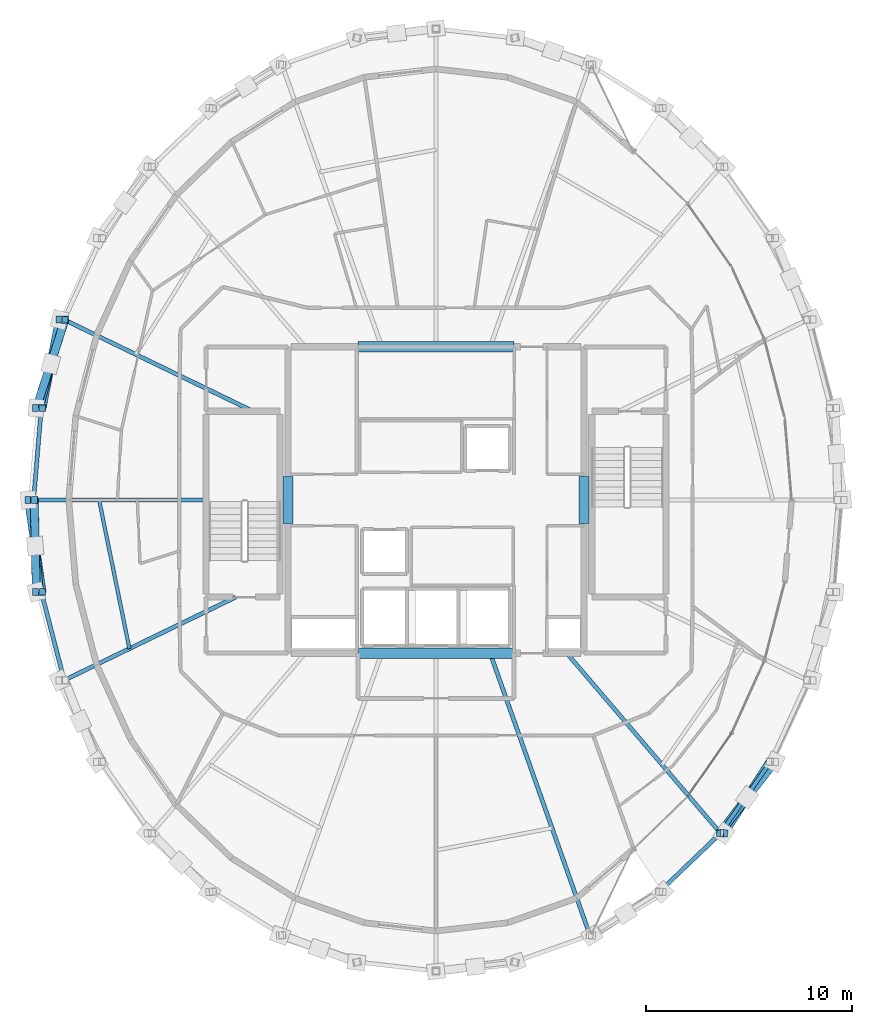
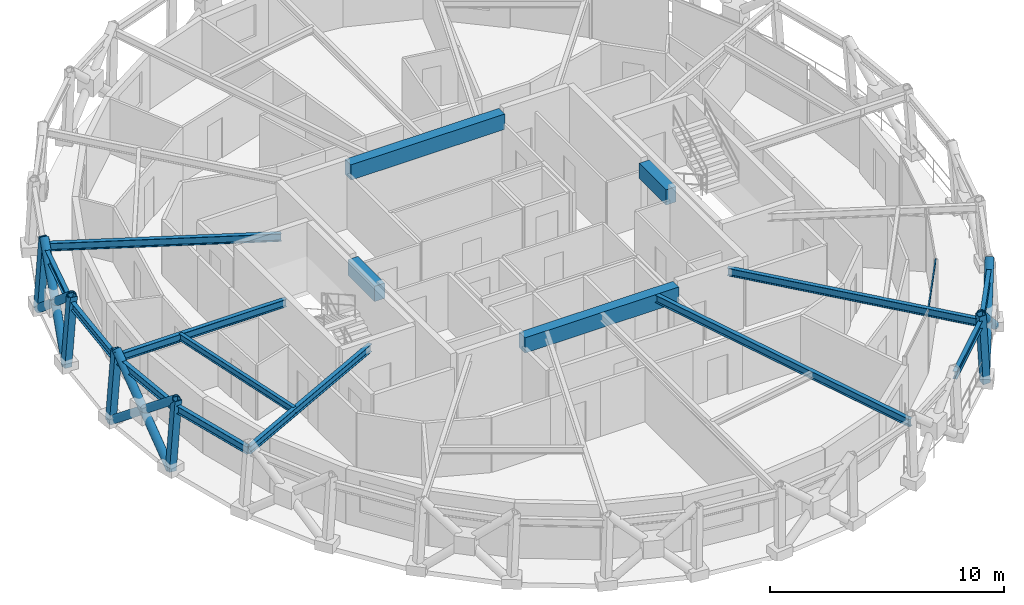
# One storey, part 3 of 15: 16 beams, 15 members, 1 element without a shape of its own.
"""IFC4 building model written with IfcOpenShell, lengths in metres."""

from ifc_helpers import new_model, si_unit, direction, frame, origin, origin_2d, place, context, subcontext, project, spatial, rectangle, hollow_rectangle, hollow_circle, i_section, extrude, material, layer, layer_set, material_profile, profile_set, type_object, element, aggregate, save


model = new_model("IFC4")

# Units and contexts
model_context = context("Model", 3, precision=1e-05, world=origin(), true_north=direction((0.0, 1.0)))
body_context = subcontext(model_context, "Body", "Model", "MODEL_VIEW")
ifc_project = project(units=[si_unit("LENGTHUNIT", "METRE"), si_unit("AREAUNIT", "SQUARE_METRE"), si_unit("VOLUMEUNIT", "CUBIC_METRE"), si_unit("PLANEANGLEUNIT", "RADIAN"), si_unit("MASSUNIT", "GRAM", prefix="KILO")], contexts=[model_context])

# Site, building, storey
site_placement = place(None, origin())
site = spatial("IfcSite", under=ifc_project, at=site_placement, CompositionType="ELEMENT")
building_placement = place(site_placement, origin())
building = spatial("IfcBuilding", under=site, at=building_placement, Name="Veldorina Hangang Commons", CompositionType="ELEMENT")
storey_placement = place(building_placement, frame((0.0, 0.0, 290.39990234375)))
storey = spatial("IfcBuildingStorey", under=building, at=storey_placement, Name="L76", CompositionType="ELEMENT", Elevation=290.39990234375)

# Beams
ifc_material_1 = material(Name="Concrete C50/60", Category="concrete")
ifc_material_profile_1 = material_profile(ifc_material_1, rectangle(XDim=0.5, YDim=0.800048828125, at=origin_2d()), Name="RC-CB-500x800")
ifc_profile_set_1 = profile_set([ifc_material_profile_1], Name="Concrete C50/60")
beam_type_1 = type_object("IfcBeamType", Name="BM-CB800", PredefinedType="LINTEL", material=ifc_profile_set_1)
for number, where, z_axis, x_axis, name in (
    (1, (24.800048828125, 22.85009765625, 2.960205078125), (0.0, 1.0, 0.0), (-1.0, 0.0, 0.0), "L76 W core coupling lintel beam"),
    (2, (39.199951171875, 22.85009765625, 2.960205078125), (0.0, 1.0, 0.0), (-1.0, 0.0, 0.0), "L76 E core coupling lintel beam"),
):
    element("IfcBeam", number, at=place(storey_placement, frame(where, z_axis=z_axis, x_axis=x_axis)), inside=storey, type_object=beam_type_1, Name=name, PredefinedType="LINTEL", context=body_context, shape_type="SweptSolid", body=[
        extrude(rectangle(XDim=0.5, YDim=0.800048828125, at=origin_2d()), origin(), (0.0, 0.0, 1.0), 2.2998046875),
    ])
for number, where, z_axis, x_axis, name in (
    (3, (28.199951171875, 16.550048828125, 2.960205078125), (1.0, 0.0, 0.0), (0.0, 1.0, 0.0), "L76 south core coupling beam"),
    (4, (28.199951171875, 31.449951171875, 2.960205078125), (1.0, 0.0, 0.0), (0.0, 1.0, 0.0), "L76 north core coupling beam"),
):
    element("IfcBeam", number, at=place(storey_placement, frame(where, z_axis=z_axis, x_axis=x_axis)), inside=storey, type_object=beam_type_1, Name=name, PredefinedType="LINTEL", context=body_context, shape_type="SweptSolid", body=[
        extrude(rectangle(XDim=0.5, YDim=0.800048828125, at=origin_2d()), origin(), (0.0, 0.0, 1.0), 7.60009765625),
    ])
ifc_material_2 = material(Name="Steel SM355-TMC", Category="steel")
ifc_material_profile_2 = material_profile(ifc_material_2, i_section(OverallWidth=0.199951171875, OverallDepth=0.39990234375, WebThickness=0.008056640625, FlangeThickness=0.012939453125, FilletRadius=0.012939453125, at=origin_2d()), Name="H-400x200x8x13")
ifc_profile_set_2 = profile_set([ifc_material_profile_2], Name="Steel SM355-TMC")
beam_type_2 = type_object("IfcBeamType", Name="BM-FG400", PredefinedType="BEAM", material=ifc_profile_set_2)
beam_1_placement = place(storey_placement, frame((23.092041015625, 28.320068359375, 3.16015625), z_axis=(-0.899769092307, 0.43636633753, 0.0), x_axis=(-0.43636633753, -0.899769092307, 0.0)))
element("IfcBeam", 5, at=beam_1_placement, inside=storey, type_object=beam_type_2, Name="L76 radial floor girder 08", PredefinedType="BEAM", context=body_context, shape_type="SweptSolid", body=[
    extrude(i_section(OverallWidth=0.199951171875, OverallDepth=0.39990234375, WebThickness=0.008056640625, FlangeThickness=0.012939453125, FilletRadius=0.012939453125, at=origin_2d()), origin(), (0.0, 0.0, 1.0), 10.19482421875),
])
beam_2_placement = place(storey_placement, frame((20.820068359375, 24.0, 3.16015625), z_axis=(-1.0, 0.0, 0.0), x_axis=(0.0, -1.0, 0.0)))
element("IfcBeam", 6, at=beam_2_placement, inside=storey, type_object=beam_type_2, Name="L76 radial floor girder 09", PredefinedType="BEAM", context=body_context, shape_type="SweptSolid", body=[
    extrude(i_section(OverallWidth=0.199951171875, OverallDepth=0.39990234375, WebThickness=0.008056640625, FlangeThickness=0.012939453125, FilletRadius=0.012939453125, at=origin_2d()), origin(), (0.0, 0.0, 1.0), 8.390869140625),
])
beam_3_placement = place(storey_placement, frame((22.267333984375, 19.280029296875, 3.16015625), z_axis=(-0.89976652359, -0.436371634076, 0.0), x_axis=(0.436371634076, -0.89976652359, 0.0)))
element("IfcBeam", 7, at=beam_3_placement, inside=storey, type_object=beam_type_2, Name="L76 radial floor girder 10", PredefinedType="BEAM", context=body_context, shape_type="SweptSolid", body=[
    extrude(i_section(OverallWidth=0.199951171875, OverallDepth=0.39990234375, WebThickness=0.008056640625, FlangeThickness=0.012939453125, FilletRadius=0.012939453125, at=origin_2d()), origin(), (0.0, 0.0, 1.0), 9.2783203125),
])
beam_4_placement = place(storey_placement, frame((34.6357421875, 16.550048828125, 3.16015625), z_axis=(0.33352818718, -0.94274012769, 0.0), x_axis=(0.94274012769, 0.33352818718, 0.0)))
element("IfcBeam", 8, at=beam_4_placement, inside=storey, type_object=beam_type_2, Name="L76 radial floor girder 14", PredefinedType="BEAM", context=body_context, shape_type="SweptSolid", body=[
    extrude(i_section(OverallWidth=0.199951171875, OverallDepth=0.39990234375, WebThickness=0.008056640625, FlangeThickness=0.012939453125, FilletRadius=0.012939453125, at=origin_2d()), origin(), (0.0, 0.0, 1.0), 14.552734375),
])
beam_5_placement = place(storey_placement, frame((38.36328125, 16.550048828125, 3.16015625), z_axis=(0.649450592283, -0.760403792852, 0.0), x_axis=(0.760403792852, 0.649450592283, 0.0)))
element("IfcBeam", 9, at=beam_5_placement, inside=storey, type_object=beam_type_2, Name="L76 radial floor girder 15", PredefinedType="BEAM", context=body_context, shape_type="SweptSolid", body=[
    extrude(i_section(OverallWidth=0.199951171875, OverallDepth=0.39990234375, WebThickness=0.008056640625, FlangeThickness=0.012939453125, FilletRadius=0.012939453125, at=origin_2d()), origin(), (0.0, 0.0, 1.0), 11.51025390625),
])
ifc_material_profile_3 = material_profile(ifc_material_2, i_section(OverallWidth=0.175048828125, OverallDepth=0.35009765625, WebThickness=0.007080078125, FlangeThickness=0.010986328125, FilletRadius=0.012939453125, at=origin_2d()), Name="H-350x175x7x11")
ifc_profile_set_3 = profile_set([ifc_material_profile_3], Name="Steel SM355-TMC")
beam_type_3 = type_object("IfcBeamType", Name="BM-JST350", PredefinedType="JOIST", material=ifc_profile_set_3)
beam_6_placement = place(storey_placement, frame((15.61767578125, 24.0, 3.18505859375), z_axis=(0.199709786749, -0.979855091877, 0.0), x_axis=(0.979855091877, 0.199709786749, 0.0)))
element("IfcBeam", 10, at=beam_6_placement, inside=storey, type_object=beam_type_3, Name="L76 secondary floor joist 09", PredefinedType="JOIST", context=body_context, shape_type="SweptSolid", body=[
    extrude(i_section(OverallWidth=0.175048828125, OverallDepth=0.35009765625, WebThickness=0.007080078125, FlangeThickness=0.010986328125, FilletRadius=0.012939453125, at=origin_2d()), origin(), (0.0, 0.0, 1.0), 7.37890625),
])
ifc_material_profile_4 = material_profile(ifc_material_2, i_section(OverallWidth=0.199951171875, OverallDepth=0.39990234375, WebThickness=0.008056640625, FlangeThickness=0.012939453125, FilletRadius=0.012939453125, at=origin_2d()), Name="H-400x200x8x13")
ifc_profile_set_4 = profile_set([ifc_material_profile_4], Name="Steel SM355-TMC")
beam_type_4 = type_object("IfcBeamType", Name="BM-RB400", PredefinedType="BEAM", material=ifc_profile_set_4)
beam_7_placement = place(storey_placement, frame((13.9189453125, 32.768798828125, 3.16015625), z_axis=(-0.250819052404, -0.968033988531, 0.0), x_axis=(0.968033988531, -0.250819052404, 0.0)))
element("IfcBeam", 11, at=beam_7_placement, inside=storey, type_object=beam_type_4, Name="L76 perimeter hoop ring beam 14", PredefinedType="BEAM", context=body_context, shape_type="SweptSolid", body=[
    extrude(i_section(OverallWidth=0.199951171875, OverallDepth=0.39990234375, WebThickness=0.008056640625, FlangeThickness=0.012939453125, FilletRadius=0.012939453125, at=origin_2d()), origin(), (0.0, 0.0, 1.0), 4.4404296875),
])
for number, where, z_axis, x_axis, name in (
    (12, (12.80517578125, 28.47021484375, 3.16015625), (-0.083811127984, -0.996481658048, 0.0), (0.996481658048, -0.083811127984, 0.0), "L76 perimeter hoop ring beam 15"),
    (13, (12.42919921875, 24.0, 3.16015625), (0.083811127984, -0.996481658048, 0.0), (0.996481658048, 0.083811127984, 0.0), "L76 perimeter hoop ring beam 16"),
):
    element("IfcBeam", number, at=place(storey_placement, frame(where, z_axis=z_axis, x_axis=x_axis)), inside=storey, type_object=beam_type_4, Name=name, PredefinedType="BEAM", context=body_context, shape_type="SweptSolid", body=[
        extrude(i_section(OverallWidth=0.199951171875, OverallDepth=0.39990234375, WebThickness=0.008056640625, FlangeThickness=0.012939453125, FilletRadius=0.012939453125, at=origin_2d()), origin(), (0.0, 0.0, 1.0), 4.486083984375),
    ])
beam_8_placement = place(storey_placement, frame((12.80517578125, 19.52978515625, 3.16015625), z_axis=(0.250819052404, -0.968033988531, 0.0), x_axis=(0.968033988531, 0.250819052404, 0.0)))
element("IfcBeam", 14, at=beam_8_placement, inside=storey, type_object=beam_type_4, Name="L76 perimeter hoop ring beam 17", PredefinedType="BEAM", context=body_context, shape_type="SweptSolid", body=[
    extrude(i_section(OverallWidth=0.199951171875, OverallDepth=0.39990234375, WebThickness=0.008056640625, FlangeThickness=0.012939453125, FilletRadius=0.012939453125, at=origin_2d()), origin(), (0.0, 0.0, 1.0), 4.4404296875),
])
beam_9_placement = place(storey_placement, frame((42.873046875, 4.947998046875, 3.16015625), z_axis=(0.721064584857, 0.692867854981, 0.0), x_axis=(-0.692867854981, 0.721064584857, 0.0)))
element("IfcBeam", 15, at=beam_9_placement, inside=storey, type_object=beam_type_4, Name="L76 perimeter hoop ring beam 27", PredefinedType="BEAM", context=body_context, shape_type="SweptSolid", body=[
    extrude(i_section(OverallWidth=0.199951171875, OverallDepth=0.39990234375, WebThickness=0.008056640625, FlangeThickness=0.012939453125, FilletRadius=0.012939453125, at=origin_2d()), origin(), (0.0, 0.0, 1.0), 4.11279296875),
])
beam_10_placement = place(storey_placement, frame((45.838623046875, 7.797607421875, 3.16015625), z_axis=(0.57399930825, 0.818855783474, 0.0), x_axis=(-0.818855783474, 0.57399930825, 0.0)))
element("IfcBeam", 16, at=beam_10_placement, inside=storey, type_object=beam_type_4, Name="L76 perimeter hoop ring beam 28", PredefinedType="BEAM", context=body_context, shape_type="SweptSolid", body=[
    extrude(i_section(OverallWidth=0.199951171875, OverallDepth=0.39990234375, WebThickness=0.008056640625, FlangeThickness=0.012939453125, FilletRadius=0.012939453125, at=origin_2d()), origin(), (0.0, 0.0, 1.0), 4.240478515625),
])

# Curtain wall, member
ifc_material_3 = material(Name="Glass Low-E Selective", Category="glass")
ifc_layer = layer(ifc_material_3, 0.179931640625)
ifc_layer_set = layer_set([ifc_layer], Name="Glass Low-E Selective")
curtain_wall_type = type_object("IfcCurtainWallType", Name="CW-SYS-Z3", PredefinedType="NOTDEFINED", material=ifc_layer_set)
curtain_wall_placement = place(storey_placement, origin())
curtain_wall = element("IfcCurtainWall", 17, at=curtain_wall_placement, inside=storey, type_object=curtain_wall_type, Name="L76 unitised curtain wall CW-L76-R2", PredefinedType="NOTDEFINED")
ifc_material_4 = material(Name="Aluminium Anodized AA6063-T6", Category="aluminium")
ifc_material_profile_5 = material_profile(ifc_material_4, hollow_rectangle(XDim=0.06005859375, YDim=0.139892578125, WallThickness=0.00341796875, at=origin_2d()), Name="ALU-RHS-140x60x3.5")
ifc_profile_set_5 = profile_set([ifc_material_profile_5], Name="Aluminium Anodized AA6063-T6")
member_type_1 = type_object("IfcMemberType", Name="CW-TRN-140", PredefinedType="USERDEFINED", material=ifc_profile_set_5)
member_1_placement = place(storey_placement, frame((44.23388671875, 9.572021484375, 3.280029296875), z_axis=(0.571176518666, 0.820827256202, 0.0), x_axis=(-0.820827256202, 0.571176518666, 0.0)))
member_1 = element("IfcMember", 18, at=member_1_placement, type_object=member_type_1, Name="CW-L76-R2 facet 2 transom 1", ObjectType="TRANSOM", PredefinedType="USERDEFINED", context=body_context, shape_type="SweptSolid", body=[
    extrude(hollow_rectangle(XDim=0.06005859375, YDim=0.139892578125, WallThickness=0.00341796875, at=origin_2d()), origin(), (0.0, 0.0, 1.0), 3.76708984375),
])
aggregate(curtain_wall, [member_1])

# Members
ifc_material_profile_6 = material_profile(ifc_material_2, hollow_circle(Radius=0.199951171875, WallThickness=0.02001953125, at=origin_2d()), Name="CHS-400x20")
ifc_profile_set_6 = profile_set([ifc_material_profile_6], Name="Steel SM355-TMC")
member_type_2 = type_object("IfcMemberType", Name="DG-CHS400", PredefinedType="BRACE", material=ifc_profile_set_6)
member_2_placement = place(storey_placement, frame((13.6875, 32.772705078125, 0.0), z_axis=(-0.149480747293, -0.758332956329, 0.634497150138), x_axis=(0.981120754335, -0.193396135983, 0.0)))
element("IfcMember", 19, at=member_2_placement, inside=storey, type_object=member_type_2, Name="L76 continuous perimeter diagrid brace 14", PredefinedType="BRACE", context=body_context, shape_type="SweptSolid", body=[
    extrude(hollow_circle(Radius=0.199951171875, WallThickness=0.02001953125, at=origin_2d()), origin(), (0.0, 0.0, 1.0), 5.673828125),
])
member_3_placement = place(storey_placement, frame((12.5595703125, 28.472412109375, 0.0), z_axis=(0.243464633582, 0.743065550655, 0.62336069785), x_axis=(-0.950291392357, 0.31136195916, 0.0)))
element("IfcMember", 20, at=member_3_placement, inside=storey, type_object=member_type_2, Name="L76 split perimeter diagrid lower brace 15", PredefinedType="BRACE", context=body_context, shape_type="SweptSolid", body=[
    extrude(hollow_circle(Radius=0.199951171875, WallThickness=0.02001953125, at=origin_2d()), origin(), (0.0, 0.0, 1.0), 2.889892578125),
])
member_4_placement = place(storey_placement, frame((13.26318359375, 30.619873046875, 1.801513671875), z_axis=(0.238474505112, 0.744619293997, 0.623435656197), x_axis=(-0.952351230862, 0.305003496826, 0.0)))
element("IfcMember", 21, at=member_4_placement, inside=storey, type_object=member_type_2, Name="L76 split perimeter diagrid upper brace 15", PredefinedType="BRACE", context=body_context, shape_type="SweptSolid", body=[
    extrude(hollow_circle(Radius=0.199951171875, WallThickness=0.02001953125, at=origin_2d()), origin(), (0.0, 0.0, 1.0), 2.885009765625),
])
member_5_placement = place(storey_placement, frame((12.1787109375, 24.0, 0.0), z_axis=(0.114350755849, -0.773705834751, 0.623139780394), x_axis=(0.989253880973, 0.14620793063, 0.0)))
element("IfcMember", 22, at=member_5_placement, inside=storey, type_object=member_type_2, Name="L76 continuous perimeter diagrid brace 16", PredefinedType="BRACE", context=body_context, shape_type="SweptSolid", body=[
    extrude(hollow_circle(Radius=0.199951171875, WallThickness=0.02001953125, at=origin_2d()), origin(), (0.0, 0.0, 1.0), 5.77734375),
])
member_6_placement = place(storey_placement, frame((12.5595703125, 19.527587890625, 0.0), z_axis=(-0.017511154421, 0.778821343698, 0.627001334983), x_axis=(-0.999747326763, -0.022478492612, 0.0)))
element("IfcMember", 23, at=member_6_placement, inside=storey, type_object=member_type_2, Name="L76 split perimeter diagrid lower brace 17", PredefinedType="BRACE", context=body_context, shape_type="SweptSolid", body=[
    extrude(hollow_circle(Radius=0.199951171875, WallThickness=0.02001953125, at=origin_2d()), origin(), (0.0, 0.0, 1.0), 2.8720703125),
])
member_7_placement = place(storey_placement, frame((12.50927734375, 21.764404296875, 1.80078125), z_axis=(-0.015736745434, 0.778926367241, 0.626917912697), x_axis=(-0.999795979358, -0.020199001439, 0.0)))
element("IfcMember", 24, at=member_7_placement, inside=storey, type_object=member_type_2, Name="L76 split perimeter diagrid upper brace 17", PredefinedType="BRACE", context=body_context, shape_type="SweptSolid", body=[
    extrude(hollow_circle(Radius=0.199951171875, WallThickness=0.02001953125, at=origin_2d()), origin(), (0.0, 0.0, 1.0), 2.8701171875),
])
member_8_placement = place(storey_placement, frame((46.015869140625, 7.7900390625, 0.0), z_axis=(0.406471019808, 0.635074775825, 0.65685716801), x_axis=(-0.84225745263, 0.539075489602, 0.0)))
element("IfcMember", 25, at=member_8_placement, inside=storey, type_object=member_type_2, Name="L76 continuous perimeter diagrid brace 28", PredefinedType="BRACE", context=body_context, shape_type="SweptSolid", body=[
    extrude(hollow_circle(Radius=0.199951171875, WallThickness=0.02001953125, at=origin_2d()), origin(), (0.0, 0.0, 1.0), 5.480712890625),
])
member_9_placement = place(storey_placement, frame((48.480712890625, 11.263916015625, 0.0), z_axis=(-0.474750427432, -0.608870432284, 0.63552248453), x_axis=(0.788608137293, -0.614896093495, 0.0)))
element("IfcMember", 26, at=member_9_placement, inside=storey, type_object=member_type_2, Name="L76 split perimeter diagrid lower brace 29", PredefinedType="BRACE", context=body_context, shape_type="SweptSolid", body=[
    extrude(hollow_circle(Radius=0.199951171875, WallThickness=0.02001953125, at=origin_2d()), origin(), (0.0, 0.0, 1.0), 2.839599609375),
])
member_10_placement = place(storey_placement, frame((47.132568359375, 9.534912109375, 1.8046875), z_axis=(-0.466866939091, -0.614767204373, 0.635685885962), x_axis=(0.796384392019, -0.604790790396, 0.0)))
element("IfcMember", 27, at=member_10_placement, inside=storey, type_object=member_type_2, Name="L76 split perimeter diagrid upper brace 29", PredefinedType="BRACE", context=body_context, shape_type="SweptSolid", body=[
    extrude(hollow_circle(Radius=0.199951171875, WallThickness=0.02001953125, at=origin_2d()), origin(), (0.0, 0.0, 1.0), 2.824462890625),
])
ifc_material_profile_7 = material_profile(ifc_material_2, hollow_rectangle(XDim=0.35009765625, YDim=0.35009765625, WallThickness=0.01611328125, at=origin_2d()), Name="SHS-350x350x16")
ifc_profile_set_7 = profile_set([ifc_material_profile_7], Name="Steel SM355-TMC")
member_type_3 = type_object("IfcMemberType", Name="STR-SHS350", PredefinedType="STRUT", material=ifc_profile_set_7)
member_11_placement = place(storey_placement, frame((13.6875, 32.772705078125, 0.0), z_axis=(0.073044492313, -0.001285041994, 0.997327855226), x_axis=(0.017589870777, 0.999845286255, 0.0)))
element("IfcMember", 28, at=member_11_placement, inside=storey, type_object=member_type_3, Name="L76 perimeter ring node post 14", PredefinedType="STRUT", context=body_context, shape_type="SweptSolid", body=[
    extrude(hollow_rectangle(XDim=0.35009765625, YDim=0.35009765625, WallThickness=0.01611328125, at=origin_2d()), origin(), (0.0, 0.0, 1.0), 3.60986328125),
])
member_12_placement = place(storey_placement, frame((12.5595703125, 28.472412109375, 0.0), z_axis=(0.077482337309, -0.000676111146, 0.996993495605), x_axis=(0.008725671297, 0.999961930606, 0.0)))
element("IfcMember", 29, at=member_12_placement, inside=storey, type_object=member_type_3, Name="L76 perimeter ring node post 15", PredefinedType="STRUT", context=body_context, shape_type="SweptSolid", body=[
    extrude(hollow_rectangle(XDim=0.35009765625, YDim=0.35009765625, WallThickness=0.01611328125, at=origin_2d()), origin(), (0.0, 0.0, 1.0), 3.61083984375),
])
member_13_placement = place(storey_placement, frame((12.1787109375, 24.0, 0.0), z_axis=(0.079027794031, 0.0, 0.996872412985), x_axis=(0.0, 1.0, 0.0)))
element("IfcMember", 30, at=member_13_placement, inside=storey, type_object=member_type_3, Name="L76 perimeter ring node post 16", PredefinedType="STRUT", context=body_context, shape_type="SweptSolid", body=[
    extrude(hollow_rectangle(XDim=0.35009765625, YDim=0.35009765625, WallThickness=0.01611328125, at=origin_2d()), origin(), (0.0, 0.0, 1.0), 3.611328125),
])
member_14_placement = place(storey_placement, frame((12.5595703125, 19.527587890625, 0.0), z_axis=(0.077482337309, 0.000676111146, 0.996993495605), x_axis=(-0.008725671297, 0.999961930606, 0.0)))
element("IfcMember", 31, at=member_14_placement, inside=storey, type_object=member_type_3, Name="L76 perimeter ring node post 17", PredefinedType="STRUT", context=body_context, shape_type="SweptSolid", body=[
    extrude(hollow_rectangle(XDim=0.35009765625, YDim=0.35009765625, WallThickness=0.01611328125, at=origin_2d()), origin(), (0.0, 0.0, 1.0), 3.61083984375),
])
member_15_placement = place(storey_placement, frame((46.015869140625, 7.7900390625, 0.0), z_axis=(-0.055994856807, 0.002369794424, 0.998428244836), x_axis=(-0.042283793731, -0.999105640454, 0.0)))
element("IfcMember", 32, at=member_15_placement, inside=storey, type_object=member_type_3, Name="L76 perimeter ring node post 28", PredefinedType="STRUT", context=body_context, shape_type="SweptSolid", body=[
    extrude(hollow_rectangle(XDim=0.35009765625, YDim=0.35009765625, WallThickness=0.01611328125, at=origin_2d()), origin(), (0.0, 0.0, 1.0), 3.605712890625),
])

save(model, "model.ifc")
